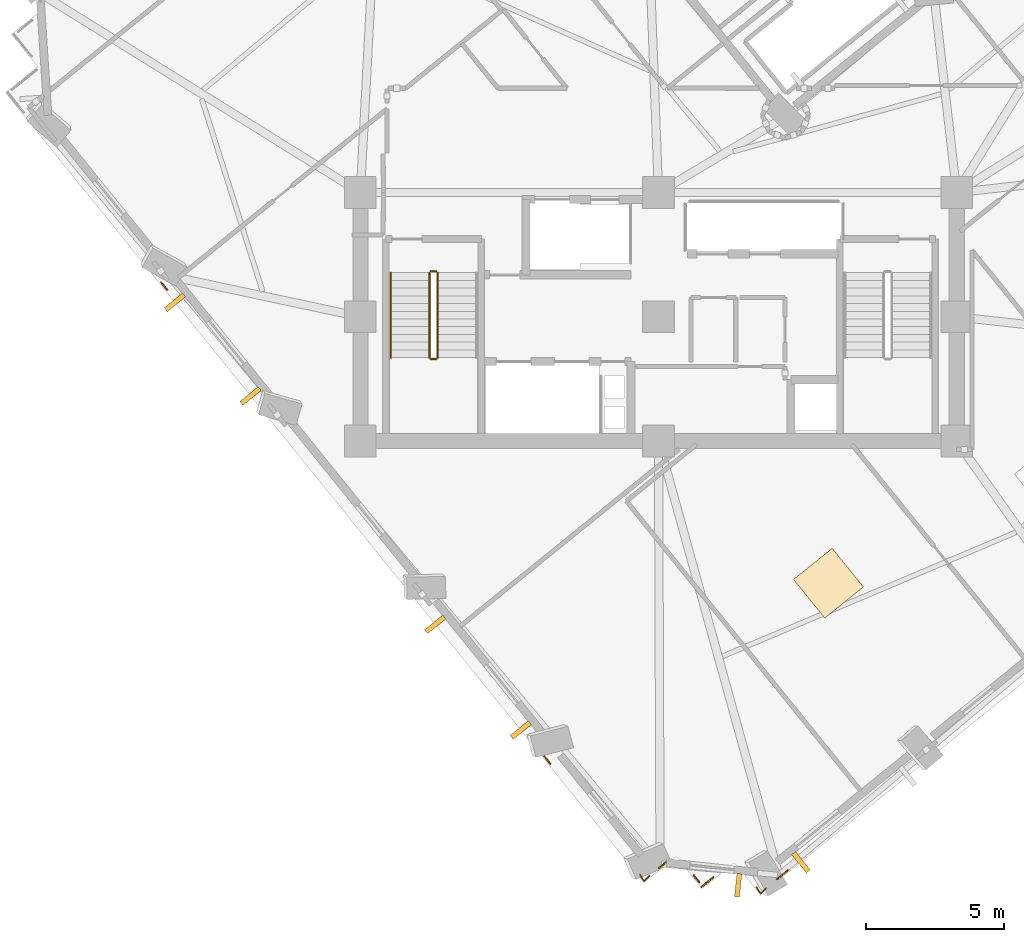
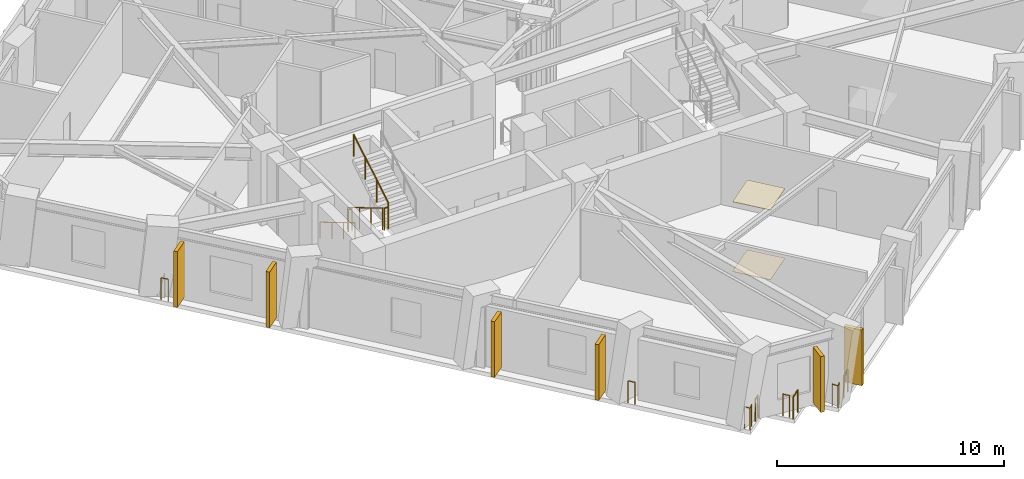
# One storey, part 10 of 14: 13 railings, 6 shading devices, 2 coverings.
"""IFC4 building model written with IfcOpenShell, lengths in metres."""

from ifc_helpers import new_model, si_unit, direction, frame, origin, origin_2d, place, context, subcontext, project, spatial, rectangle, circle, extrude, material, layer, layer_set, type_object, element, save


model = new_model("IFC4")

# Units and contexts
model_context = context("Model", 3, precision=1e-05, world=origin(), true_north=direction((0.0, 1.0)))
body_context = subcontext(model_context, "Body", "Model", "MODEL_VIEW")
ifc_project = project(units=[si_unit("LENGTHUNIT", "METRE"), si_unit("AREAUNIT", "SQUARE_METRE"), si_unit("VOLUMEUNIT", "CUBIC_METRE"), si_unit("PLANEANGLEUNIT", "RADIAN"), si_unit("MASSUNIT", "GRAM", prefix="KILO")], contexts=[model_context])

# Site, building, storey
site_placement = place(None, origin())
site = spatial("IfcSite", under=ifc_project, at=site_placement, CompositionType="ELEMENT")
building_placement = place(site_placement, origin())
building = spatial("IfcBuilding", under=site, at=building_placement, Name="Gaonmaruhae Medical Tower", CompositionType="ELEMENT")
storey_placement = place(building_placement, frame((0.0, 0.0, 189.800048828125)))
storey = spatial("IfcBuildingStorey", under=building, at=storey_placement, Name="L45", CompositionType="ELEMENT", Elevation=189.800048828125)

# Coverings
ifc_material_1 = material(Name="Acoustic mineral ceiling tile", Category="finish")
ifc_layer_1 = layer(ifc_material_1, 0.02490234375)
ifc_layer_set_1 = layer_set([ifc_layer_1], Name="Acoustic mineral ceiling tile")
covering_type_1 = type_object("IfcCoveringType", Name="CLG-01 Antimicrobial Acoustic Mineral Ceiling", PredefinedType="CEILING", material=ifc_layer_set_1)
covering_1_placement = place(storey_placement, frame((30.957275390625, 2.6494140625, 3.7548828125), z_axis=(0.0, 0.0, 1.0), x_axis=(0.777694851116, 0.628641963719, 0.0)))
element("IfcCovering", 1, at=covering_1_placement, inside=storey, type_object=covering_type_1, Name="L45 Clinical Room Acoustic Ceiling 2", PredefinedType="CEILING", context=body_context, shape_type="SweptSolid", body=[
    extrude(rectangle(XDim=1.800048828125, YDim=1.800048828125, at=origin_2d()), origin(), (0.0, 0.0, 1.0), 0.02490234375),
])
ifc_material_2 = material(Name="Seamless clinical vinyl flooring", Category="finish")
ifc_layer_2 = layer(ifc_material_2, 0.014892578125)
ifc_layer_set_2 = layer_set([ifc_layer_2], Name="Seamless clinical vinyl flooring")
covering_type_2 = type_object("IfcCoveringType", Name="FLR-01 Seamless Clinical Antistatic Vinyl Flooring", PredefinedType="FLOORING", material=ifc_layer_set_2)
covering_2_placement = place(storey_placement, frame((30.957275390625, 2.6494140625, 0.0), z_axis=(0.0, 0.0, 1.0), x_axis=(0.777694851116, 0.628641963719, 0.0)))
element("IfcCovering", 2, at=covering_2_placement, inside=storey, type_object=covering_type_2, Name="L45 Clinical Room Vinyl Flooring 2", PredefinedType="FLOORING", context=body_context, shape_type="SweptSolid", body=[
    extrude(rectangle(XDim=1.800048828125, YDim=1.800048828125, at=origin_2d()), origin(), (0.0, 0.0, 1.0), 0.014892578125),
])

# Railings
ifc_material_3 = material(Name="Stainless steel 316L and laminated safety glass", Category="steel")
ifc_layer_3 = layer(ifc_material_3, 0.080078125)
ifc_layer_set_3 = layer_set([ifc_layer_3], Name="Stainless steel 316L and laminated safety glass")
railing_type_1 = type_object("IfcRailingType", Name="GD-120 Outdoor Terrace Safety Glass & Steel Balustrade", PredefinedType="BALUSTRADE", material=ifc_layer_set_3)
railing_1_placement = place(storey_placement, frame((29.4853515625, -7.75341796875, 0.0)))
element("IfcRailing", 3, at=railing_1_placement, inside=storey, type_object=railing_type_1, Name="L45 Perimeter Slab Edge Safety Balustrade 03", PredefinedType="BALUSTRADE", context=body_context, shape_type="SweptSolid", body=[
    extrude(circle(Radius=0.02392578125, at=origin_2d()), frame((0.0, 0.0, 1.17578125), z_axis=(-0.777737691038, -0.628588962629, 0.0), x_axis=(0.628588962629, -0.777737691038, 0.0)), (0.0, 0.0, 1.0), 0.518798828125),
    extrude(circle(Radius=0.02099609375, at=origin_2d()), origin(), (0.0, 0.0, 1.0), 1.15185546875),
    extrude(circle(Radius=0.02099609375, at=origin_2d()), frame((-0.403564453125, -0.326171875, 0.0)), (0.0, 0.0, 1.0), 1.15185546875),
])
railing_2_placement = place(storey_placement, frame((26.7880859375, -8.0048828125, 0.0)))
element("IfcRailing", 4, at=railing_2_placement, inside=storey, type_object=railing_type_1, Name="L45 Perimeter Slab Edge Safety Balustrade 04", PredefinedType="BALUSTRADE", context=body_context, shape_type="SweptSolid", body=[
    extrude(circle(Radius=0.02392578125, at=origin_2d()), frame((0.0, 0.0, 1.17578125), z_axis=(-0.777539292185, -0.628834357449, 0.0), x_axis=(0.628834357449, -0.777539292185, 0.0)), (0.0, 0.0, 1.0), 0.559814453125),
    extrude(circle(Radius=0.02099609375, at=origin_2d()), origin(), (0.0, 0.0, 1.0), 1.15185546875),
    extrude(circle(Radius=0.02099609375, at=origin_2d()), frame((-0.435302734375, -0.35205078125, 0.0)), (0.0, 0.0, 1.0), 1.15185546875),
])
railing_3_placement = place(storey_placement, frame((26.2763671875, -8.182861328125, 0.0)))
element("IfcRailing", 5, at=railing_3_placement, inside=storey, type_object=railing_type_1, Name="L45 Perimeter Slab Edge Safety Balustrade 05", PredefinedType="BALUSTRADE", context=body_context, shape_type="SweptSolid", body=[
    extrude(circle(Radius=0.02392578125, at=origin_2d()), frame((0.0, 0.0, 1.17578125), z_axis=(-0.628424068661, 0.777870933978, 0.0), x_axis=(-0.777870933978, -0.628424068661, 0.0)), (0.0, 0.0, 1.0), 0.32666015625),
    extrude(circle(Radius=0.02099609375, at=origin_2d()), origin(), (0.0, 0.0, 1.0), 1.15185546875),
    extrude(circle(Radius=0.02099609375, at=origin_2d()), frame((-0.205322265625, 0.254150390625, 0.0)), (0.0, 0.0, 1.0), 1.15185546875),
])
railing_4_placement = place(storey_placement, frame((25.067626953125, -7.467041015625, 0.0)))
element("IfcRailing", 6, at=railing_4_placement, inside=storey, type_object=railing_type_1, Name="L45 Perimeter Slab Edge Safety Balustrade 06", PredefinedType="BALUSTRADE", context=body_context, shape_type="SweptSolid", body=[
    extrude(circle(Radius=0.02392578125, at=origin_2d()), frame((0.0, 0.0, 1.17578125), z_axis=(-0.777870933978, -0.628424068661, 0.0), x_axis=(0.628424068661, -0.777870933978, 0.0)), (0.0, 0.0, 1.0), 0.32666015625),
    extrude(circle(Radius=0.02099609375, at=origin_2d()), origin(), (0.0, 0.0, 1.0), 1.15185546875),
    extrude(circle(Radius=0.02099609375, at=origin_2d()), frame((-0.254150390625, -0.205322265625, 0.0)), (0.0, 0.0, 1.0), 1.15185546875),
])
railing_5_placement = place(storey_placement, frame((20.878173828125, -3.890625, 0.0)))
element("IfcRailing", 7, at=railing_5_placement, inside=storey, type_object=railing_type_1, Name="L45 Perimeter Slab Edge Safety Balustrade 07", PredefinedType="BALUSTRADE", context=body_context, shape_type="SweptSolid", body=[
    extrude(circle(Radius=0.02392578125, at=origin_2d()), frame((0.0, 0.0, 1.17578125), z_axis=(-0.628722149442, 0.777630026941, 0.0), x_axis=(-0.777630026941, -0.628722149442, 0.0)), (0.0, 0.0, 1.0), 0.33935546875),
    extrude(circle(Radius=0.02099609375, at=origin_2d()), origin(), (0.0, 0.0, 1.0), 1.15185546875),
    extrude(circle(Radius=0.02099609375, at=origin_2d()), frame((-0.21337890625, 0.263916015625, 0.0)), (0.0, 0.0, 1.0), 1.15185546875),
])
railing_6_placement = place(storey_placement, frame((6.99755859375, 13.28076171875, 0.0)))
element("IfcRailing", 8, at=railing_6_placement, inside=storey, type_object=railing_type_1, Name="L45 Perimeter Slab Edge Safety Balustrade 08", PredefinedType="BALUSTRADE", context=body_context, shape_type="SweptSolid", body=[
    extrude(circle(Radius=0.02392578125, at=origin_2d()), frame((0.0, 0.0, 1.17578125), z_axis=(-0.628370576419, 0.777914146093, 0.0), x_axis=(-0.777914146093, -0.628370576419, 0.0)), (0.0, 0.0, 1.0), 0.339599609375),
    extrude(circle(Radius=0.02099609375, at=origin_2d()), origin(), (0.0, 0.0, 1.0), 1.15185546875),
    extrude(circle(Radius=0.02099609375, at=origin_2d()), frame((-0.21337890625, 0.26416015625, 0.0)), (0.0, 0.0, 1.0), 1.15185546875),
])
railing_7_placement = place(storey_placement, frame((28.695556640625, -8.391845703125, 0.0)))
element("IfcRailing", 9, at=railing_7_placement, inside=storey, type_object=railing_type_1, Name="L45 Perimeter Corner Safety Balustrade 17", PredefinedType="BALUSTRADE", context=body_context, shape_type="SweptSolid", body=[
    extrude(circle(Radius=0.02392578125, at=origin_2d()), frame((0.0, 0.0, 1.17578125), z_axis=(-0.695109948166, -0.718903442724, 0.0), x_axis=(0.718903442724, -0.695109948166, 0.0)), (0.0, 0.0, 1.0), 0.287353515625),
    extrude(circle(Radius=0.02392578125, at=origin_2d()), frame((-0.19970703125, -0.20654296875, 1.17578125), z_axis=(-0.528546898834, 0.84890410279, 0.0), x_axis=(-0.84890410279, -0.528546898834, 0.0)), (0.0, 0.0, 1.0), 0.287353515625),
    extrude(circle(Radius=0.02099609375, at=origin_2d()), origin(), (0.0, 0.0, 1.0), 1.15185546875),
    extrude(circle(Radius=0.02099609375, at=origin_2d()), frame((-0.19970703125, -0.20654296875, 0.0)), (0.0, 0.0, 1.0), 1.15185546875),
    extrude(circle(Radius=0.02099609375, at=origin_2d()), frame((-0.3515625, 0.037353515625, 0.0)), (0.0, 0.0, 1.0), 1.15185546875),
])
railing_8_placement = place(storey_placement, frame((24.4765625, -7.944580078125, 0.0)))
element("IfcRailing", 10, at=railing_8_placement, inside=storey, type_object=railing_type_1, Name="L45 Perimeter Corner Safety Balustrade 18", PredefinedType="BALUSTRADE", context=body_context, shape_type="SweptSolid", body=[
    extrude(circle(Radius=0.02392578125, at=origin_2d()), frame((0.0, 0.0, 1.17578125), z_axis=(-0.695109948166, -0.718903442724, 0.0), x_axis=(0.718903442724, -0.695109948166, 0.0)), (0.0, 0.0, 1.0), 0.287353515625),
    extrude(circle(Radius=0.02392578125, at=origin_2d()), frame((-0.19970703125, -0.20654296875, 1.17578125), z_axis=(-0.528928392987, 0.848666456915, 0.0), x_axis=(-0.848666456915, -0.528928392987, 0.0)), (0.0, 0.0, 1.0), 0.287109375),
    extrude(circle(Radius=0.02099609375, at=origin_2d()), origin(), (0.0, 0.0, 1.0), 1.15185546875),
    extrude(circle(Radius=0.02099609375, at=origin_2d()), frame((-0.19970703125, -0.20654296875, 0.0)), (0.0, 0.0, 1.0), 1.15185546875),
    extrude(circle(Radius=0.02099609375, at=origin_2d()), frame((-0.3515625, 0.037109375, 0.0)), (0.0, 0.0, 1.0), 1.15185546875),
])
ifc_material_4 = material(Name="Stainless steel 304 handrail", Category="steel")
railing_type_2 = type_object("IfcRailingType", Name="HR-092 Continuous Stainless Steel Stair Handrail", PredefinedType="HANDRAIL", material=ifc_material_4)
railing_9_placement = place(storey_placement, frame((15.10009765625, 13.89990234375, 0.16650390625)))
element("IfcRailing", 11, at=railing_9_placement, inside=storey, type_object=railing_type_2, Name="L45 ST-01 stair handrail 1", PredefinedType="HANDRAIL", context=body_context, shape_type="SweptSolid", body=[
    extrude(circle(Radius=0.02392578125, at=origin_2d()), frame((0.0, 0.0, 0.8759765625), z_axis=(0.0, -0.859260807169, 0.511537745687), x_axis=(1.0, 0.0, 0.0)), (0.0, 0.0, 1.0), 3.584228515625),
    extrude(circle(Radius=0.02099609375, at=origin_2d()), origin(), (0.0, 0.0, 1.0), 0.851806640625),
    extrude(circle(Radius=0.02099609375, at=origin_2d()), frame((0.0, -1.026611328125, 0.611083984375)), (0.0, 0.0, 1.0), 0.851806640625),
    extrude(circle(Radius=0.02099609375, at=origin_2d()), frame((0.0, -2.05322265625, 1.222412109375)), (0.0, 0.0, 1.0), 0.851806640625),
    extrude(circle(Radius=0.02099609375, at=origin_2d()), frame((0.0, -3.079833984375, 1.83349609375)), (0.0, 0.0, 1.0), 0.851806640625),
])

# Shading devices
ifc_material_5 = material(Name="Pigmented coral precast concrete C45/55", Category="concrete")
shading_device_type = type_object("IfcShadingDeviceType", Name="SD-FIN1 Tower Vertical Coral Precast Shading Fin", PredefinedType="USERDEFINED", material=ifc_material_5)
for number, where, z_axis, x_axis, name in (
    (12, (29.957275390625, -7.45556640625, 0.132568359375), (0.0, 0.0, 1.0), (-0.777694851116, -0.628641963719, 0.0), "L45 Vertical Coral Precast Shading Fin S01B"),
    (13, (10.025146484375, 9.431884765625, 0.132568359375), (0.0, 0.0, 1.0), (-0.628641963719, 0.777694851116, 0.0), "L45 Vertical Coral Precast Shading Fin W02"),
    (14, (7.283203125, 12.82421875, 0.132568359375), (0.0, 0.0, 1.0), (-0.628641963719, 0.777694851116, 0.0), "L45 Vertical Coral Precast Shading Fin W02B"),
    (15, (19.808349609375, -2.670654296875, 0.132568359375), (0.0, 0.0, 1.0), (-0.628641963719, 0.777694851116, 0.0), "L45 Vertical Coral Precast Shading Fin W04"),
    (16, (16.713134765625, 1.158203125, 0.132568359375), (0.0, 0.0, 1.0), (-0.628641963719, 0.777694851116, 0.0), "L45 Vertical Coral Precast Shading Fin W04B"),
    (17, (27.686279296875, -8.29248046875, 0.132568359375), (0.0, 0.0, 1.0), (-0.994430298402, 0.105396307434, 0.0), "L45 Vertical Coral Precast Shading Fin W06"),
):
    element("IfcShadingDevice", number, at=place(storey_placement, frame(where, z_axis=z_axis, x_axis=x_axis)), inside=storey, type_object=shading_device_type, Name=name, ObjectType="FIN", PredefinedType="USERDEFINED", context=body_context, shape_type="SweptSolid", body=[
        extrude(rectangle(XDim=0.179931640625, YDim=0.85009765625, at=origin_2d()), origin(), (0.0, 0.0, 1.0), 3.0),
    ])

# Railings
ifc_material_6 = material(Name="Stainless steel 304 balustrade", Category="steel")
railing_type_3 = type_object("IfcRailingType", Name="SG-112 Stair Well & Ramp Void Safety Balustrade", PredefinedType="BALUSTRADE", material=ifc_material_6)
railing_10_placement = place(storey_placement, frame((16.5, 13.89990234375, 0.16650390625)))
element("IfcRailing", 18, at=railing_10_placement, inside=storey, type_object=railing_type_3, Name="L45 ST-01 stair guard 1", PredefinedType="BALUSTRADE", context=body_context, shape_type="SweptSolid", body=[
    extrude(circle(Radius=0.02392578125, at=origin_2d()), frame((0.0, 0.0, 1.17578125), z_axis=(0.0, -0.859260807169, 0.511537745687), x_axis=(1.0, 0.0, 0.0)), (0.0, 0.0, 1.0), 3.584228515625),
    extrude(circle(Radius=0.02099609375, at=origin_2d()), origin(), (0.0, 0.0, 1.0), 1.15185546875),
    extrude(circle(Radius=0.02099609375, at=origin_2d()), frame((0.0, -1.026611328125, 0.611083984375)), (0.0, 0.0, 1.0), 1.15185546875),
    extrude(circle(Radius=0.02099609375, at=origin_2d()), frame((0.0, -2.05322265625, 1.222412109375)), (0.0, 0.0, 1.0), 1.15185546875),
    extrude(circle(Radius=0.02099609375, at=origin_2d()), frame((0.0, -3.079833984375, 1.83349609375)), (0.0, 0.0, 1.0), 1.15185546875),
])
railing_11_placement = place(storey_placement, frame((16.550048828125, 10.77001953125, 2.0)))
element("IfcRailing", 19, at=railing_11_placement, inside=storey, type_object=railing_type_3, Name="L45 ST-01 stair guard 2", PredefinedType="BALUSTRADE", context=body_context, shape_type="SweptSolid", body=[
    extrude(circle(Radius=0.02392578125, at=origin_2d()), frame((0.0, 0.0, 1.17578125), z_axis=(1.0, 0.0, 0.0), x_axis=(0.0, 1.0, 0.0)), (0.0, 0.0, 1.0), 0.199951171875),
    extrude(circle(Radius=0.02099609375, at=origin_2d()), origin(), (0.0, 0.0, 1.0), 1.15185546875),
    extrude(circle(Radius=0.02099609375, at=origin_2d()), frame((0.199951171875, 0.0, 0.0)), (0.0, 0.0, 1.0), 1.15185546875),
])
railing_12_placement = place(storey_placement, frame((16.800048828125, 10.820068359375, 2.16650390625)))
element("IfcRailing", 20, at=railing_12_placement, inside=storey, type_object=railing_type_3, Name="L45 ST-01 stair guard 3", PredefinedType="BALUSTRADE", context=body_context, shape_type="SweptSolid", body=[
    extrude(circle(Radius=0.02392578125, at=origin_2d()), frame((0.0, 0.0, 1.17578125), z_axis=(0.0, 0.859260807169, 0.511537745687), x_axis=(-1.0, 0.0, 0.0)), (0.0, 0.0, 1.0), 3.584228515625),
    extrude(circle(Radius=0.02099609375, at=origin_2d()), origin(), (0.0, 0.0, 1.0), 1.15185546875),
    extrude(circle(Radius=0.02099609375, at=origin_2d()), frame((0.0, 1.026611328125, 0.611083984375)), (0.0, 0.0, 1.0), 1.15185546875),
    extrude(circle(Radius=0.02099609375, at=origin_2d()), frame((0.0, 2.05322265625, 1.222412109375)), (0.0, 0.0, 1.0), 1.15185546875),
    extrude(circle(Radius=0.02099609375, at=origin_2d()), frame((0.0, 3.079833984375, 1.83349609375)), (0.0, 0.0, 1.0), 1.15185546875),
])
railing_13_placement = place(storey_placement, frame((16.550048828125, 13.949951171875, 0.0)))
element("IfcRailing", 21, at=railing_13_placement, inside=storey, type_object=railing_type_3, Name="L45 ST-01 stair guard 4", PredefinedType="BALUSTRADE", context=body_context, shape_type="SweptSolid", body=[
    extrude(circle(Radius=0.02392578125, at=origin_2d()), frame((0.0, 0.0, 1.17578125), z_axis=(1.0, 0.0, 0.0), x_axis=(0.0, 1.0, 0.0)), (0.0, 0.0, 1.0), 0.199951171875),
    extrude(circle(Radius=0.02099609375, at=origin_2d()), origin(), (0.0, 0.0, 1.0), 1.15185546875),
    extrude(circle(Radius=0.02099609375, at=origin_2d()), frame((0.199951171875, 0.0, 0.0)), (0.0, 0.0, 1.0), 1.15185546875),
])

save(model, "model.ifc")
